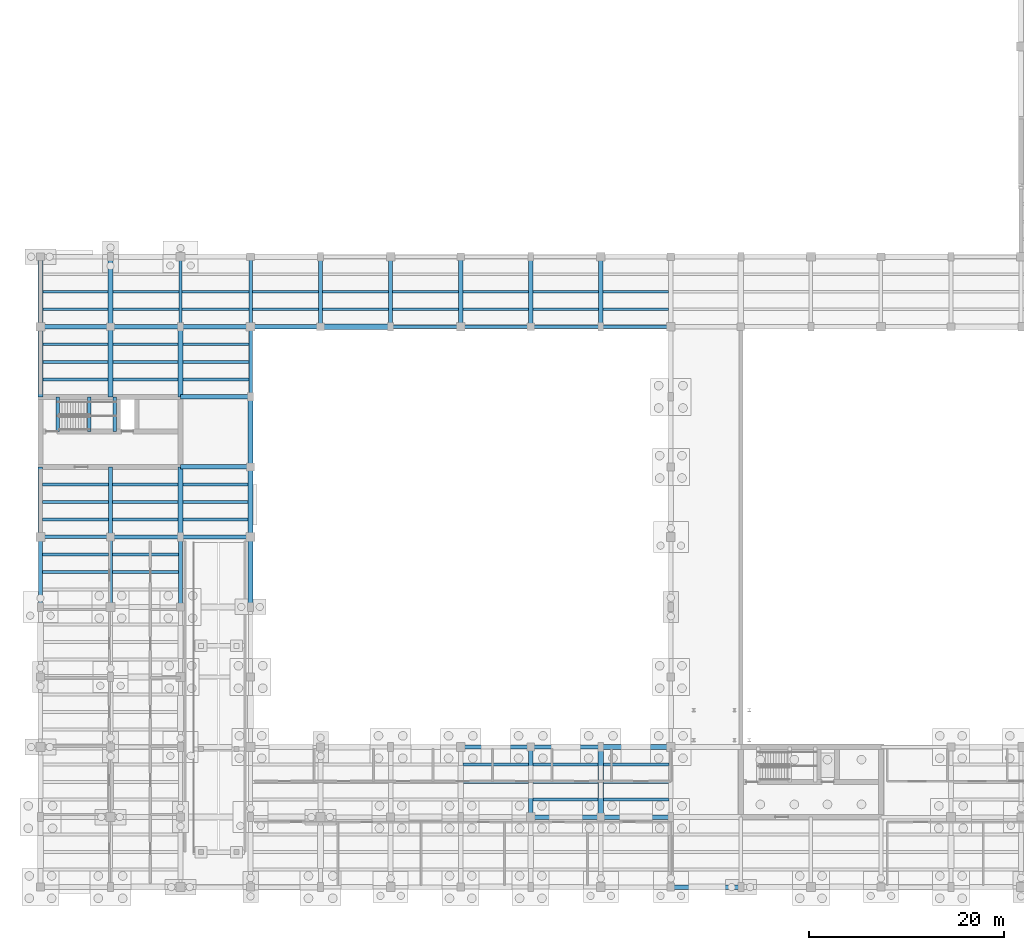
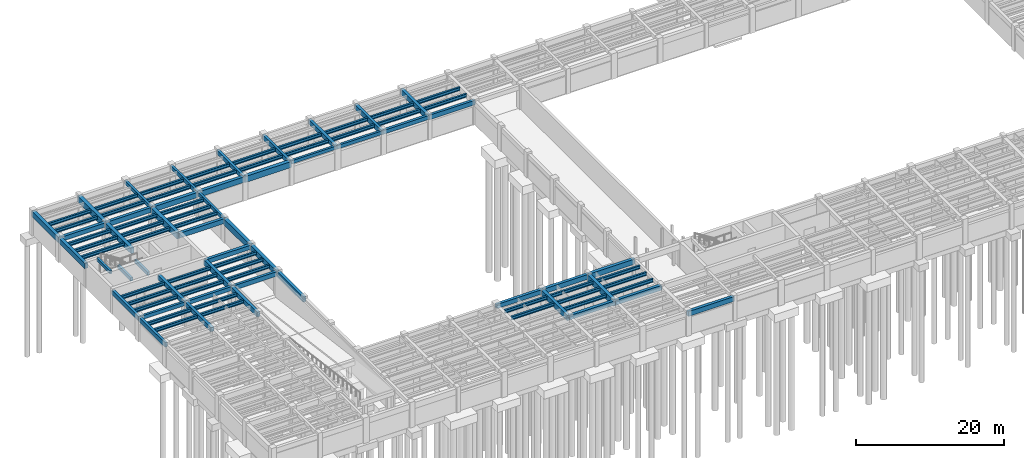
# One storey, part 9 of 33: 95 beams.
"""IFC4 building model written with IfcOpenShell, lengths in metres."""

from ifc_helpers import new_model, si_unit, direction, frame, origin, origin_2d, place, context, subcontext, project, spatial, rectangle, i_section, extrude, material, material_profile, profile_set, type_object, element, save


model = new_model("IFC4")

# Units and contexts
model_context = context("Model", 3, precision=1e-05, world=origin(), true_north=direction((0.0, 1.0)))
body_context = subcontext(model_context, "Body", "Model", "MODEL_VIEW")
ifc_project = project(units=[si_unit("LENGTHUNIT", "METRE"), si_unit("AREAUNIT", "SQUARE_METRE"), si_unit("VOLUMEUNIT", "CUBIC_METRE"), si_unit("PLANEANGLEUNIT", "RADIAN"), si_unit("MASSUNIT", "GRAM", prefix="KILO")], contexts=[model_context])

# Site, building, storey
site_placement = place(None, origin())
site = spatial("IfcSite", under=ifc_project, at=site_placement, CompositionType="ELEMENT")
building_placement = place(site_placement, origin())
building = spatial("IfcBuilding", under=site, at=building_placement, Name="Mithqara Police Headquarters", CompositionType="ELEMENT")
storey_placement = place(building_placement, frame((0.0, 0.0, -4.199951171875)))
storey = spatial("IfcBuildingStorey", under=building, at=storey_placement, Name="B1", CompositionType="ELEMENT", Elevation=-4.199951171875)

# Beams
ifc_material_1 = material(Name="Steel S355JR", Category="steel")
ifc_material_profile_1 = material_profile(ifc_material_1, i_section(OverallWidth=0.300048828125, OverallDepth=0.550048828125, WebThickness=0.014892578125, FlangeThickness=0.029052734375, FilletRadius=0.027099609375, at=origin_2d()), Name="HEB 550")
ifc_profile_set_1 = profile_set([ifc_material_profile_1], Name="Steel S355JR")
beam_type_1 = type_object("IfcBeamType", Name="BEAM HEB550", PredefinedType="BEAM", material=ifc_profile_set_1)
for number, where, z_axis, x_axis, name in (
    (1, (8.0, 53.39990234375, 3.60498046875), (1.0, 0.0, 0.0), (0.0, 1.0, 0.0), "B1 Composite Steel Joist 2-3/H.2"),
    (2, (8.0, 55.199951171875, 3.60498046875), (1.0, 0.0, 0.0), (0.0, 1.0, 0.0), "B1 Composite Steel Joist 2-3/H.3"),
):
    element("IfcBeam", number, at=place(storey_placement, frame(where, z_axis=z_axis, x_axis=x_axis)), inside=storey, type_object=beam_type_1, Name=name, PredefinedType="BEAM", context=body_context, shape_type="SweptSolid", body=[
        extrude(i_section(OverallWidth=0.300048828125, OverallDepth=0.550048828125, WebThickness=0.014892578125, FlangeThickness=0.029052734375, FilletRadius=0.027099609375, at=origin_2d()), origin(), (0.0, 0.0, 1.0), 6.77490234375),
    ])
for number, where, z_axis, x_axis, name in (
    (3, (8.02490234375, 58.800048828125, 3.60498046875), (1.0, 0.0, 0.0), (0.0, 1.0, 0.0), "B1 Composite Steel Joist 2-3/J.1"),
    (4, (8.02490234375, 60.60009765625, 3.60498046875), (1.0, 0.0, 0.0), (0.0, 1.0, 0.0), "B1 Composite Steel Joist 2-3/J.2"),
    (5, (8.02490234375, 62.39990234375, 3.60498046875), (1.0, 0.0, 0.0), (0.0, 1.0, 0.0), "B1 Composite Steel Joist 2-3/J.3"),
):
    element("IfcBeam", number, at=place(storey_placement, frame(where, z_axis=z_axis, x_axis=x_axis)), inside=storey, type_object=beam_type_1, Name=name, PredefinedType="BEAM", context=body_context, shape_type="SweptSolid", body=[
        extrude(i_section(OverallWidth=0.300048828125, OverallDepth=0.550048828125, WebThickness=0.014892578125, FlangeThickness=0.029052734375, FilletRadius=0.027099609375, at=origin_2d()), origin(), (0.0, 0.0, 1.0), 6.75),
    ])
for number, where, z_axis, x_axis, name in (
    (6, (8.050048828125, 73.199951171875, 3.60498046875), (1.0, 0.0, 0.0), (0.0, 1.0, 0.0), "B1 Composite Steel Joist 2-3/L.1"),
    (7, (8.050048828125, 75.0, 3.60498046875), (1.0, 0.0, 0.0), (0.0, 1.0, 0.0), "B1 Composite Steel Joist 2-3/L.2"),
    (8, (8.050048828125, 76.800048828125, 3.60498046875), (1.0, 0.0, 0.0), (0.0, 1.0, 0.0), "B1 Composite Steel Joist 2-3/L.3"),
):
    element("IfcBeam", number, at=place(storey_placement, frame(where, z_axis=z_axis, x_axis=x_axis)), inside=storey, type_object=beam_type_1, Name=name, PredefinedType="BEAM", context=body_context, shape_type="SweptSolid", body=[
        extrude(i_section(OverallWidth=0.300048828125, OverallDepth=0.550048828125, WebThickness=0.014892578125, FlangeThickness=0.029052734375, FilletRadius=0.027099609375, at=origin_2d()), origin(), (0.0, 0.0, 1.0), 6.699951171875),
    ])
for number, where, z_axis, x_axis, name in (
    (9, (8.050048828125, 80.39990234375, 3.60498046875), (1.0, 0.0, 0.0), (0.0, 1.0, 0.0), "B1 Composite Steel Joist 2-3/M.1"),
    (10, (8.050048828125, 82.199951171875, 3.60498046875), (1.0, 0.0, 0.0), (0.0, 1.0, 0.0), "B1 Composite Steel Joist 2-3/M.2"),
):
    element("IfcBeam", number, at=place(storey_placement, frame(where, z_axis=z_axis, x_axis=x_axis)), inside=storey, type_object=beam_type_1, Name=name, PredefinedType="BEAM", context=body_context, shape_type="SweptSolid", body=[
        extrude(i_section(OverallWidth=0.300048828125, OverallDepth=0.550048828125, WebThickness=0.014892578125, FlangeThickness=0.029052734375, FilletRadius=0.027099609375, at=origin_2d()), origin(), (0.0, 0.0, 1.0), 6.675048828125),
    ])
for number, where, z_axis, x_axis, name in (
    (11, (15.22509765625, 53.39990234375, 3.60498046875), (1.0, 0.0, 0.0), (0.0, 1.0, 0.0), "B1 Composite Steel Joist 3-4/H.2"),
    (12, (15.22509765625, 55.199951171875, 3.60498046875), (1.0, 0.0, 0.0), (0.0, 1.0, 0.0), "B1 Composite Steel Joist 3-4/H.3"),
):
    element("IfcBeam", number, at=place(storey_placement, frame(where, z_axis=z_axis, x_axis=x_axis)), inside=storey, type_object=beam_type_1, Name=name, PredefinedType="BEAM", context=body_context, shape_type="SweptSolid", body=[
        extrude(i_section(OverallWidth=0.300048828125, OverallDepth=0.550048828125, WebThickness=0.014892578125, FlangeThickness=0.029052734375, FilletRadius=0.027099609375, at=origin_2d()), origin(), (0.0, 0.0, 1.0), 6.75),
    ])
for number, where, z_axis, x_axis, name in (
    (13, (15.22509765625, 58.800048828125, 3.60498046875), (1.0, 0.0, 0.0), (0.0, 1.0, 0.0), "B1 Composite Steel Joist 3-4/J.1"),
    (14, (15.22509765625, 60.60009765625, 3.60498046875), (1.0, 0.0, 0.0), (0.0, 1.0, 0.0), "B1 Composite Steel Joist 3-4/J.2"),
    (15, (15.22509765625, 62.39990234375, 3.60498046875), (1.0, 0.0, 0.0), (0.0, 1.0, 0.0), "B1 Composite Steel Joist 3-4/J.3"),
):
    element("IfcBeam", number, at=place(storey_placement, frame(where, z_axis=z_axis, x_axis=x_axis)), inside=storey, type_object=beam_type_1, Name=name, PredefinedType="BEAM", context=body_context, shape_type="SweptSolid", body=[
        extrude(i_section(OverallWidth=0.300048828125, OverallDepth=0.550048828125, WebThickness=0.014892578125, FlangeThickness=0.029052734375, FilletRadius=0.027099609375, at=origin_2d()), origin(), (0.0, 0.0, 1.0), 6.724853515625),
    ])
for number, where, z_axis, x_axis, name in (
    (16, (15.25, 73.199951171875, 3.60498046875), (1.0, 0.0, 0.0), (0.0, 1.0, 0.0), "B1 Composite Steel Joist 3-4/L.1"),
    (17, (15.25, 75.0, 3.60498046875), (1.0, 0.0, 0.0), (0.0, 1.0, 0.0), "B1 Composite Steel Joist 3-4/L.2"),
    (18, (15.25, 76.800048828125, 3.60498046875), (1.0, 0.0, 0.0), (0.0, 1.0, 0.0), "B1 Composite Steel Joist 3-4/L.3"),
):
    element("IfcBeam", number, at=place(storey_placement, frame(where, z_axis=z_axis, x_axis=x_axis)), inside=storey, type_object=beam_type_1, Name=name, PredefinedType="BEAM", context=body_context, shape_type="SweptSolid", body=[
        extrude(i_section(OverallWidth=0.300048828125, OverallDepth=0.550048828125, WebThickness=0.014892578125, FlangeThickness=0.029052734375, FilletRadius=0.027099609375, at=origin_2d()), origin(), (0.0, 0.0, 1.0), 6.675048828125),
    ])
for number, where, z_axis, x_axis, name in (
    (19, (15.27490234375, 80.39990234375, 3.60498046875), (1.0, 0.0, 0.0), (0.0, 1.0, 0.0), "B1 Composite Steel Joist 3-4/M.1"),
    (20, (15.27490234375, 82.199951171875, 3.60498046875), (1.0, 0.0, 0.0), (0.0, 1.0, 0.0), "B1 Composite Steel Joist 3-4/M.2"),
):
    element("IfcBeam", number, at=place(storey_placement, frame(where, z_axis=z_axis, x_axis=x_axis)), inside=storey, type_object=beam_type_1, Name=name, PredefinedType="BEAM", context=body_context, shape_type="SweptSolid", body=[
        extrude(i_section(OverallWidth=0.300048828125, OverallDepth=0.550048828125, WebThickness=0.014892578125, FlangeThickness=0.029052734375, FilletRadius=0.027099609375, at=origin_2d()), origin(), (0.0, 0.0, 1.0), 6.75),
    ])
for number, where, z_axis, x_axis, name in (
    (21, (22.449951171875, 58.800048828125, 3.60498046875), (1.0, 0.0, 0.0), (0.0, 1.0, 0.0), "B1 Composite Steel Joist 4-5/J.1"),
    (22, (22.449951171875, 60.60009765625, 3.60498046875), (1.0, 0.0, 0.0), (0.0, 1.0, 0.0), "B1 Composite Steel Joist 4-5/J.2"),
    (23, (22.449951171875, 62.39990234375, 3.60498046875), (1.0, 0.0, 0.0), (0.0, 1.0, 0.0), "B1 Composite Steel Joist 4-5/J.3"),
):
    element("IfcBeam", number, at=place(storey_placement, frame(where, z_axis=z_axis, x_axis=x_axis)), inside=storey, type_object=beam_type_1, Name=name, PredefinedType="BEAM", context=body_context, shape_type="SweptSolid", body=[
        extrude(i_section(OverallWidth=0.300048828125, OverallDepth=0.550048828125, WebThickness=0.014892578125, FlangeThickness=0.029052734375, FilletRadius=0.027099609375, at=origin_2d()), origin(), (0.0, 0.0, 1.0), 6.699951171875),
    ])
for number, where, z_axis, x_axis, name in (
    (24, (22.47509765625, 73.199951171875, 3.60498046875), (1.0, 0.0, 0.0), (0.0, 1.0, 0.0), "B1 Composite Steel Joist 4-5/L.1"),
    (25, (22.47509765625, 75.0, 3.60498046875), (1.0, 0.0, 0.0), (0.0, 1.0, 0.0), "B1 Composite Steel Joist 4-5/L.2"),
    (26, (22.47509765625, 76.800048828125, 3.60498046875), (1.0, 0.0, 0.0), (0.0, 1.0, 0.0), "B1 Composite Steel Joist 4-5/L.3"),
):
    element("IfcBeam", number, at=place(storey_placement, frame(where, z_axis=z_axis, x_axis=x_axis)), inside=storey, type_object=beam_type_1, Name=name, PredefinedType="BEAM", context=body_context, shape_type="SweptSolid", body=[
        extrude(i_section(OverallWidth=0.300048828125, OverallDepth=0.550048828125, WebThickness=0.014892578125, FlangeThickness=0.029052734375, FilletRadius=0.027099609375, at=origin_2d()), origin(), (0.0, 0.0, 1.0), 6.75),
    ])
for number, where, z_axis, x_axis, name in (
    (27, (22.375, 80.39990234375, 3.60498046875), (1.0, 0.0, 0.0), (0.0, 1.0, 0.0), "B1 Composite Steel Joist 4-5/M.1"),
    (28, (22.375, 82.199951171875, 3.60498046875), (1.0, 0.0, 0.0), (0.0, 1.0, 0.0), "B1 Composite Steel Joist 4-5/M.2"),
):
    element("IfcBeam", number, at=place(storey_placement, frame(where, z_axis=z_axis, x_axis=x_axis)), inside=storey, type_object=beam_type_1, Name=name, PredefinedType="BEAM", context=body_context, shape_type="SweptSolid", body=[
        extrude(i_section(OverallWidth=0.300048828125, OverallDepth=0.550048828125, WebThickness=0.014892578125, FlangeThickness=0.029052734375, FilletRadius=0.027099609375, at=origin_2d()), origin(), (0.0, 0.0, 1.0), 6.85009765625),
    ])
for number, where, z_axis, x_axis, name in (
    (29, (29.574951171875, 80.39990234375, 3.60498046875), (1.0, 0.0, 0.0), (0.0, 1.0, 0.0), "B1 Composite Steel Joist 5-6/M.1"),
    (30, (29.574951171875, 82.199951171875, 3.60498046875), (1.0, 0.0, 0.0), (0.0, 1.0, 0.0), "B1 Composite Steel Joist 5-6/M.2"),
):
    element("IfcBeam", number, at=place(storey_placement, frame(where, z_axis=z_axis, x_axis=x_axis)), inside=storey, type_object=beam_type_1, Name=name, PredefinedType="BEAM", context=body_context, shape_type="SweptSolid", body=[
        extrude(i_section(OverallWidth=0.300048828125, OverallDepth=0.550048828125, WebThickness=0.014892578125, FlangeThickness=0.029052734375, FilletRadius=0.027099609375, at=origin_2d()), origin(), (0.0, 0.0, 1.0), 6.824951171875),
    ])
for number, where, z_axis, x_axis, name in (
    (31, (36.800048828125, 80.39990234375, 3.60498046875), (1.0, 0.0, 0.0), (0.0, 1.0, 0.0), "B1 Composite Steel Joist 6-7/M.1"),
    (32, (36.800048828125, 82.199951171875, 3.60498046875), (1.0, 0.0, 0.0), (0.0, 1.0, 0.0), "B1 Composite Steel Joist 6-7/M.2"),
):
    element("IfcBeam", number, at=place(storey_placement, frame(where, z_axis=z_axis, x_axis=x_axis)), inside=storey, type_object=beam_type_1, Name=name, PredefinedType="BEAM", context=body_context, shape_type="SweptSolid", body=[
        extrude(i_section(OverallWidth=0.300048828125, OverallDepth=0.550048828125, WebThickness=0.014892578125, FlangeThickness=0.029052734375, FilletRadius=0.027099609375, at=origin_2d()), origin(), (0.0, 0.0, 1.0), 6.800048828125),
    ])
for number, where, z_axis, x_axis, name in (
    (33, (44.0, 80.39990234375, 3.60498046875), (1.0, 0.0, 0.0), (0.0, 1.0, 0.0), "B1 Composite Steel Joist 7-8/M.1"),
    (34, (44.0, 82.199951171875, 3.60498046875), (1.0, 0.0, 0.0), (0.0, 1.0, 0.0), "B1 Composite Steel Joist 7-8/M.2"),
):
    element("IfcBeam", number, at=place(storey_placement, frame(where, z_axis=z_axis, x_axis=x_axis)), inside=storey, type_object=beam_type_1, Name=name, PredefinedType="BEAM", context=body_context, shape_type="SweptSolid", body=[
        extrude(i_section(OverallWidth=0.300048828125, OverallDepth=0.550048828125, WebThickness=0.014892578125, FlangeThickness=0.029052734375, FilletRadius=0.027099609375, at=origin_2d()), origin(), (0.0, 0.0, 1.0), 6.77490234375),
    ])
for number, where, z_axis, x_axis, name in (
    (35, (51.25, 31.800048828125, 3.60498046875), (1.0, 0.0, 0.0), (0.0, 1.0, 0.0), "B1 Composite Steel Joist 8-9/E.2"),
    (36, (51.25, 33.60009765625, 3.60498046875), (1.0, 0.0, 0.0), (0.0, 1.0, 0.0), "B1 Composite Steel Joist 8-9/E.3"),
):
    element("IfcBeam", number, at=place(storey_placement, frame(where, z_axis=z_axis, x_axis=x_axis)), inside=storey, type_object=beam_type_1, Name=name, PredefinedType="BEAM", context=body_context, shape_type="SweptSolid", body=[
        extrude(i_section(OverallWidth=0.300048828125, OverallDepth=0.550048828125, WebThickness=0.014892578125, FlangeThickness=0.029052734375, FilletRadius=0.027099609375, at=origin_2d()), origin(), (0.0, 0.0, 1.0), 6.699951171875),
    ])
for number, where, z_axis, x_axis, name in (
    (37, (51.22509765625, 80.39990234375, 3.60498046875), (1.0, 0.0, 0.0), (0.0, 1.0, 0.0), "B1 Composite Steel Joist 8-9/M.1"),
    (38, (51.22509765625, 82.199951171875, 3.60498046875), (1.0, 0.0, 0.0), (0.0, 1.0, 0.0), "B1 Composite Steel Joist 8-9/M.2"),
):
    element("IfcBeam", number, at=place(storey_placement, frame(where, z_axis=z_axis, x_axis=x_axis)), inside=storey, type_object=beam_type_1, Name=name, PredefinedType="BEAM", context=body_context, shape_type="SweptSolid", body=[
        extrude(i_section(OverallWidth=0.300048828125, OverallDepth=0.550048828125, WebThickness=0.014892578125, FlangeThickness=0.029052734375, FilletRadius=0.027099609375, at=origin_2d()), origin(), (0.0, 0.0, 1.0), 6.75),
    ])
for number, where, z_axis, x_axis, name in (
    (39, (58.449951171875, 30.0, 3.60498046875), (1.0, 0.0, 0.0), (0.0, 1.0, 0.0), "B1 Composite Steel Joist 9-10/E.1"),
    (40, (58.449951171875, 31.800048828125, 3.60498046875), (1.0, 0.0, 0.0), (0.0, 1.0, 0.0), "B1 Composite Steel Joist 9-10/E.2"),
    (41, (58.449951171875, 33.60009765625, 3.60498046875), (1.0, 0.0, 0.0), (0.0, 1.0, 0.0), "B1 Composite Steel Joist 9-10/E.3"),
):
    element("IfcBeam", number, at=place(storey_placement, frame(where, z_axis=z_axis, x_axis=x_axis)), inside=storey, type_object=beam_type_1, Name=name, PredefinedType="BEAM", context=body_context, shape_type="SweptSolid", body=[
        extrude(i_section(OverallWidth=0.300048828125, OverallDepth=0.550048828125, WebThickness=0.014892578125, FlangeThickness=0.029052734375, FilletRadius=0.027099609375, at=origin_2d()), origin(), (0.0, 0.0, 1.0), 6.675048828125),
    ])
for number, where, z_axis, x_axis, name in (
    (42, (58.425048828125, 80.39990234375, 3.60498046875), (1.0, 0.0, 0.0), (0.0, 1.0, 0.0), "B1 Composite Steel Joist 9-10/M.1"),
    (43, (58.425048828125, 82.199951171875, 3.60498046875), (1.0, 0.0, 0.0), (0.0, 1.0, 0.0), "B1 Composite Steel Joist 9-10/M.2"),
):
    element("IfcBeam", number, at=place(storey_placement, frame(where, z_axis=z_axis, x_axis=x_axis)), inside=storey, type_object=beam_type_1, Name=name, PredefinedType="BEAM", context=body_context, shape_type="SweptSolid", body=[
        extrude(i_section(OverallWidth=0.300048828125, OverallDepth=0.550048828125, WebThickness=0.014892578125, FlangeThickness=0.029052734375, FilletRadius=0.027099609375, at=origin_2d()), origin(), (0.0, 0.0, 1.0), 6.724853515625),
    ])
for number, where, z_axis, x_axis, name in (
    (44, (65.675048828125, 30.0, 3.60498046875), (1.0, 0.0, 0.0), (0.0, 1.0, 0.0), "B1 Composite Steel Joist 10-11/E.1"),
    (45, (65.675048828125, 31.800048828125, 3.60498046875), (1.0, 0.0, 0.0), (0.0, 1.0, 0.0), "B1 Composite Steel Joist 10-11/E.2"),
    (46, (65.675048828125, 33.60009765625, 3.60498046875), (1.0, 0.0, 0.0), (0.0, 1.0, 0.0), "B1 Composite Steel Joist 10-11/E.3"),
):
    element("IfcBeam", number, at=place(storey_placement, frame(where, z_axis=z_axis, x_axis=x_axis)), inside=storey, type_object=beam_type_1, Name=name, PredefinedType="BEAM", context=body_context, shape_type="SweptSolid", body=[
        extrude(i_section(OverallWidth=0.300048828125, OverallDepth=0.550048828125, WebThickness=0.014892578125, FlangeThickness=0.029052734375, FilletRadius=0.027099609375, at=origin_2d()), origin(), (0.0, 0.0, 1.0), 6.75),
    ])
for number, where, z_axis, x_axis, name in (
    (47, (65.64990234375, 80.39990234375, 3.60498046875), (1.0, 0.0, 0.0), (0.0, 1.0, 0.0), "B1 Composite Steel Joist 10-11/M.1"),
    (48, (65.64990234375, 82.199951171875, 3.60498046875), (1.0, 0.0, 0.0), (0.0, 1.0, 0.0), "B1 Composite Steel Joist 10-11/M.2"),
):
    element("IfcBeam", number, at=place(storey_placement, frame(where, z_axis=z_axis, x_axis=x_axis)), inside=storey, type_object=beam_type_1, Name=name, PredefinedType="BEAM", context=body_context, shape_type="SweptSolid", body=[
        extrude(i_section(OverallWidth=0.300048828125, OverallDepth=0.550048828125, WebThickness=0.014892578125, FlangeThickness=0.029052734375, FilletRadius=0.027099609375, at=origin_2d()), origin(), (0.0, 0.0, 1.0), 6.7001953125),
    ])
ifc_material_2 = material(Name="Concrete C40/50", Category="concrete")
ifc_material_profile_2 = material_profile(ifc_material_2, rectangle(XDim=0.35009765625, YDim=0.550048828125, at=origin_2d()), Name="RC 350x550")
ifc_profile_set_2 = profile_set([ifc_material_profile_2], Name="Concrete C40/50")
beam_type_2 = type_object("IfcBeamType", Name="BEAM RC350X550", PredefinedType="BEAM", material=ifc_profile_set_2)
beam_1_placement = place(storey_placement, frame((22.199951171875, 78.60009765625, 3.60498046875), z_axis=(0.0, 1.0, 0.0), x_axis=(-1.0, 0.0, 0.0)))
element("IfcBeam", 49, at=beam_1_placement, inside=storey, type_object=beam_type_2, Name="B1 Girder 4/M-N", PredefinedType="BEAM", context=body_context, shape_type="SweptSolid", body=[
    extrude(rectangle(XDim=0.35009765625, YDim=0.550048828125, at=origin_2d()), origin(), (0.0, 0.0, 1.0), 7.199951171875),
])
beam_2_placement = place(storey_placement, frame((29.39990234375, 71.39990234375, 3.60498046875), z_axis=(0.0, 1.0, 0.0), x_axis=(-1.0, 0.0, 0.0)))
element("IfcBeam", 50, at=beam_2_placement, inside=storey, type_object=beam_type_2, Name="B1 Girder 5/L-M", PredefinedType="BEAM", context=body_context, shape_type="SweptSolid", body=[
    extrude(rectangle(XDim=0.35009765625, YDim=0.550048828125, at=origin_2d()), origin(), (0.0, 0.0, 1.0), 7.2001953125),
])
beam_3_placement = place(storey_placement, frame((43.800048828125, 78.60009765625, 3.60498046875), z_axis=(1.0, 0.0, 0.0), x_axis=(0.0, 1.0, 0.0)))
element("IfcBeam", 51, at=beam_3_placement, inside=storey, type_object=beam_type_2, Name="B1 Girder 7-8/M", PredefinedType="BEAM", context=body_context, shape_type="SweptSolid", body=[
    extrude(rectangle(XDim=0.35009765625, YDim=0.550048828125, at=origin_2d()), origin(), (0.0, 0.0, 1.0), 7.199951171875),
])
for number, where, z_axis, x_axis, name in (
    (52, (12.830078125, 67.820068359375, 1.635009765625), (0.0, 1.0, 0.0), (-1.0, 0.0, 0.0), "B1 ST-03 Half-Landing Bearer LF"),
    (53, (15.449951171875, 67.820068359375, 1.635009765625), (0.0, 1.0, 0.0), (-1.0, 0.0, 0.0), "B1 ST-03 Half-Landing Bearer LB"),
    (54, (9.576904296875, 67.820068359375, 3.925048828125), (0.0, 1.0, 0.0), (-1.0, 0.0, 0.0), "B1 ST-03 Stairwell Trimmer Beam"),
):
    element("IfcBeam", number, at=place(storey_placement, frame(where, z_axis=z_axis, x_axis=x_axis)), inside=storey, type_object=beam_type_2, Name=name, PredefinedType="BEAM", context=body_context, shape_type="SweptSolid", body=[
        extrude(rectangle(XDim=0.35009765625, YDim=0.550048828125, at=origin_2d()), origin(), (0.0, 0.0, 1.0), 3.579833984375),
    ])
ifc_material_profile_3 = material_profile(ifc_material_2, rectangle(XDim=0.35009765625, YDim=0.60009765625, at=origin_2d()), Name="RC 350x600")
ifc_profile_set_3 = profile_set([ifc_material_profile_3], Name="Concrete C40/50")
beam_type_3 = type_object("IfcBeamType", Name="BEAM RC350X600", PredefinedType="BEAM", material=ifc_profile_set_3)
for number, where, z_axis, x_axis, name in (
    (55, (7.800048828125, 57.0, 3.579833984375), (1.0, 0.0, 0.0), (0.0, 1.0, 0.0), "B1 Girder 2-3/J"),
    (56, (29.39990234375, 78.60009765625, 3.579833984375), (0.0, 1.0, 0.0), (-1.0, 0.0, 0.0), "B1 Girder 5/M-N"),
    (57, (51.0, 78.60009765625, 3.579833984375), (1.0, 0.0, 0.0), (0.0, 1.0, 0.0), "B1 Girder 8-9/M"),
):
    element("IfcBeam", number, at=place(storey_placement, frame(where, z_axis=z_axis, x_axis=x_axis)), inside=storey, type_object=beam_type_3, Name=name, PredefinedType="BEAM", context=body_context, shape_type="SweptSolid", body=[
        extrude(rectangle(XDim=0.35009765625, YDim=0.60009765625, at=origin_2d()), origin(), (0.0, 0.0, 1.0), 7.199951171875),
    ])
ifc_material_profile_4 = material_profile(ifc_material_2, rectangle(XDim=0.39990234375, YDim=0.64990234375, at=origin_2d()), Name="RC 400x650")
ifc_profile_set_4 = profile_set([ifc_material_profile_4], Name="Concrete C40/50")
beam_type_4 = type_object("IfcBeamType", Name="BEAM RC400X650", PredefinedType="BEAM", material=ifc_profile_set_4)
for number, where, z_axis, x_axis, name in (
    (58, (15.0, 57.0, 3.554931640625), (1.0, 0.0, 0.0), (0.0, 1.0, 0.0), "B1 Girder 3-4/J"),
    (59, (36.60009765625, 78.60009765625, 3.554931640625), (0.0, 1.0, 0.0), (-1.0, 0.0, 0.0), "B1 Girder 6/M-N"),
    (60, (58.199951171875, 78.60009765625, 3.554931640625), (1.0, 0.0, 0.0), (0.0, 1.0, 0.0), "B1 Girder 9-10/M"),
):
    element("IfcBeam", number, at=place(storey_placement, frame(where, z_axis=z_axis, x_axis=x_axis)), inside=storey, type_object=beam_type_4, Name=name, PredefinedType="BEAM", context=body_context, shape_type="SweptSolid", body=[
        extrude(rectangle(XDim=0.39990234375, YDim=0.64990234375, at=origin_2d()), origin(), (0.0, 0.0, 1.0), 7.199951171875),
    ])
ifc_material_profile_5 = material_profile(ifc_material_2, rectangle(XDim=0.39990234375, YDim=0.75, at=origin_2d()), Name="RC 400x750")
ifc_profile_set_5 = profile_set([ifc_material_profile_5], Name="Concrete C40/50")
beam_type_5 = type_object("IfcBeamType", Name="BEAM RC400X750", PredefinedType="BEAM", material=ifc_profile_set_5)
for number, where, z_axis, x_axis, name in (
    (61, (7.800048828125, 49.800048828125, 3.5048828125), (0.0, 1.0, 0.0), (-1.0, 0.0, 0.0), "B1 Girder 2/H-J"),
    (62, (22.199951171875, 57.0, 3.5048828125), (1.0, 0.0, 0.0), (0.0, 1.0, 0.0), "B1 Girder 4-5/J"),
    (63, (43.800048828125, 78.60009765625, 3.5048828125), (0.0, 1.0, 0.0), (-1.0, 0.0, 0.0), "B1 Girder 7/M-N"),
):
    element("IfcBeam", number, at=place(storey_placement, frame(where, z_axis=z_axis, x_axis=x_axis)), inside=storey, type_object=beam_type_5, Name=name, PredefinedType="BEAM", context=body_context, shape_type="SweptSolid", body=[
        extrude(rectangle(XDim=0.39990234375, YDim=0.75, at=origin_2d()), origin(), (0.0, 0.0, 1.0), 7.199951171875),
    ])
beam_4_placement = place(storey_placement, frame((65.39990234375, 78.60009765625, 3.5048828125), z_axis=(1.0, 0.0, 0.0), x_axis=(0.0, 1.0, 0.0)))
element("IfcBeam", 64, at=beam_4_placement, inside=storey, type_object=beam_type_5, Name="B1 Girder 10-11/M", PredefinedType="BEAM", context=body_context, shape_type="SweptSolid", body=[
    extrude(rectangle(XDim=0.39990234375, YDim=0.75, at=origin_2d()), origin(), (0.0, 0.0, 1.0), 7.2001953125),
])
ifc_material_profile_6 = material_profile(ifc_material_2, rectangle(XDim=0.449951171875, YDim=0.699951171875, at=origin_2d()), Name="RC 450x700")
ifc_profile_set_6 = profile_set([ifc_material_profile_6], Name="Concrete C40/50")
beam_type_6 = type_object("IfcBeamType", Name="BEAM RC450X700", PredefinedType="BEAM", material=ifc_profile_set_6)
for number, where, z_axis, x_axis, name in (
    (65, (7.800048828125, 57.0, 3.530029296875), (0.0, 1.0, 0.0), (-1.0, 0.0, 0.0), "B1 Girder 2/J-K"),
    (66, (7.800048828125, 78.60009765625, 3.530029296875), (1.0, 0.0, 0.0), (0.0, 1.0, 0.0), "B1 Girder 2-3/M"),
    (67, (15.0, 49.800048828125, 3.530029296875), (0.0, 1.0, 0.0), (-1.0, 0.0, 0.0), "B1 Girder 3/H-J"),
    (68, (22.199951171875, 64.199951171875, 3.530029296875), (1.0, 0.0, 0.0), (0.0, 1.0, 0.0), "B1 Girder 4-5/K"),
    (69, (51.0, 35.39990234375, 3.530029296875), (1.0, 0.0, 0.0), (0.0, 1.0, 0.0), "B1 Girder 8-9/F"),
    (70, (51.0, 78.60009765625, 3.530029296875), (0.0, 1.0, 0.0), (-1.0, 0.0, 0.0), "B1 Girder 8/M-N"),
    (71, (58.199951171875, 28.199951171875, 3.530029296875), (1.0, 0.0, 0.0), (0.0, 1.0, 0.0), "B1 Girder 9-10/E"),
):
    element("IfcBeam", number, at=place(storey_placement, frame(where, z_axis=z_axis, x_axis=x_axis)), inside=storey, type_object=beam_type_6, Name=name, PredefinedType="BEAM", context=body_context, shape_type="SweptSolid", body=[
        extrude(rectangle(XDim=0.449951171875, YDim=0.699951171875, at=origin_2d()), origin(), (0.0, 0.0, 1.0), 7.199951171875),
    ])
ifc_material_profile_7 = material_profile(ifc_material_2, rectangle(XDim=0.449951171875, YDim=0.800048828125, at=origin_2d()), Name="RC 450x800")
ifc_profile_set_7 = profile_set([ifc_material_profile_7], Name="Concrete C40/50")
beam_type_7 = type_object("IfcBeamType", Name="BEAM RC450X800", PredefinedType="BEAM", material=ifc_profile_set_7)
for number, where, z_axis, x_axis, name in (
    (72, (15.0, 57.0, 3.47998046875), (0.0, 1.0, 0.0), (-1.0, 0.0, 0.0), "B1 Girder 3/J-K"),
    (73, (15.0, 78.60009765625, 3.47998046875), (1.0, 0.0, 0.0), (0.0, 1.0, 0.0), "B1 Girder 3-4/M"),
    (74, (22.199951171875, 49.800048828125, 3.47998046875), (0.0, 1.0, 0.0), (-1.0, 0.0, 0.0), "B1 Girder 4/H-J"),
    (75, (22.199951171875, 71.39990234375, 3.47998046875), (1.0, 0.0, 0.0), (0.0, 1.0, 0.0), "B1 Girder 4-5/L"),
    (76, (58.199951171875, 35.39990234375, 3.47998046875), (1.0, 0.0, 0.0), (0.0, 1.0, 0.0), "B1 Girder 9-10/F"),
    (77, (58.199951171875, 78.60009765625, 3.47998046875), (0.0, 1.0, 0.0), (-1.0, 0.0, 0.0), "B1 Girder 9/M-N"),
):
    element("IfcBeam", number, at=place(storey_placement, frame(where, z_axis=z_axis, x_axis=x_axis)), inside=storey, type_object=beam_type_7, Name=name, PredefinedType="BEAM", context=body_context, shape_type="SweptSolid", body=[
        extrude(rectangle(XDim=0.449951171875, YDim=0.800048828125, at=origin_2d()), origin(), (0.0, 0.0, 1.0), 7.199951171875),
    ])
beam_5_placement = place(storey_placement, frame((65.39990234375, 28.199951171875, 3.47998046875), z_axis=(1.0, 0.0, 0.0), x_axis=(0.0, 1.0, 0.0)))
element("IfcBeam", 78, at=beam_5_placement, inside=storey, type_object=beam_type_7, Name="B1 Girder 10-11/E", PredefinedType="BEAM", context=body_context, shape_type="SweptSolid", body=[
    extrude(rectangle(XDim=0.449951171875, YDim=0.800048828125, at=origin_2d()), origin(), (0.0, 0.0, 1.0), 7.2001953125),
])
beam_6_placement = place(storey_placement, frame((72.60009765625, 21.0, 3.47998046875), z_axis=(1.0, 0.0, 0.0), x_axis=(0.0, 1.0, 0.0)))
element("IfcBeam", 79, at=beam_6_placement, inside=storey, type_object=beam_type_7, Name="B1 Girder 11-12/D", PredefinedType="BEAM", context=body_context, shape_type="SweptSolid", body=[
    extrude(rectangle(XDim=0.449951171875, YDim=0.800048828125, at=origin_2d()), origin(), (0.0, 0.0, 1.0), 7.199951171875),
])
ifc_material_profile_8 = material_profile(ifc_material_2, rectangle(XDim=0.5, YDim=0.85009765625, at=origin_2d()), Name="RC 500x850")
ifc_profile_set_8 = profile_set([ifc_material_profile_8], Name="Concrete C40/50")
beam_type_8 = type_object("IfcBeamType", Name="BEAM RC500X850", PredefinedType="BEAM", material=ifc_profile_set_8)
beam_7_placement = place(storey_placement, frame((7.800048828125, 71.39990234375, 3.454833984375), z_axis=(0.0, 1.0, 0.0), x_axis=(-1.0, 0.0, 0.0)))
element("IfcBeam", 80, at=beam_7_placement, inside=storey, type_object=beam_type_8, Name="B1 Girder 2/L-M", PredefinedType="BEAM", context=body_context, shape_type="SweptSolid", body=[
    extrude(rectangle(XDim=0.5, YDim=0.85009765625, at=origin_2d()), origin(), (0.0, 0.0, 1.0), 7.2001953125),
])
for number, where, z_axis, x_axis, name in (
    (81, (22.199951171875, 57.0, 3.454833984375), (0.0, 1.0, 0.0), (-1.0, 0.0, 0.0), "B1 Girder 4/J-K"),
    (82, (22.199951171875, 78.60009765625, 3.454833984375), (1.0, 0.0, 0.0), (0.0, 1.0, 0.0), "B1 Girder 4-5/M"),
    (83, (29.39990234375, 49.800048828125, 3.454833984375), (0.0, 1.0, 0.0), (-1.0, 0.0, 0.0), "B1 Girder 5/H-J"),
):
    element("IfcBeam", number, at=place(storey_placement, frame(where, z_axis=z_axis, x_axis=x_axis)), inside=storey, type_object=beam_type_8, Name=name, PredefinedType="BEAM", context=body_context, shape_type="SweptSolid", body=[
        extrude(rectangle(XDim=0.5, YDim=0.85009765625, at=origin_2d()), origin(), (0.0, 0.0, 1.0), 7.199951171875),
    ])
beam_8_placement = place(storey_placement, frame((65.39990234375, 35.39990234375, 3.454833984375), z_axis=(1.0, 0.0, 0.0), x_axis=(0.0, 1.0, 0.0)))
element("IfcBeam", 84, at=beam_8_placement, inside=storey, type_object=beam_type_8, Name="B1 Girder 10-11/F", PredefinedType="BEAM", context=body_context, shape_type="SweptSolid", body=[
    extrude(rectangle(XDim=0.5, YDim=0.85009765625, at=origin_2d()), origin(), (0.0, 0.0, 1.0), 7.2001953125),
])
beam_9_placement = place(storey_placement, frame((65.39990234375, 78.60009765625, 3.454833984375), z_axis=(0.0, 1.0, 0.0), x_axis=(-1.0, 0.0, 0.0)))
element("IfcBeam", 85, at=beam_9_placement, inside=storey, type_object=beam_type_8, Name="B1 Girder 10/M-N", PredefinedType="BEAM", context=body_context, shape_type="SweptSolid", body=[
    extrude(rectangle(XDim=0.5, YDim=0.85009765625, at=origin_2d()), origin(), (0.0, 0.0, 1.0), 7.199951171875),
])
ifc_material_3 = material(Name="Concrete C50/60", Category="concrete")
ifc_material_profile_9 = material_profile(ifc_material_3, rectangle(XDim=0.5, YDim=0.89990234375, at=origin_2d()), Name="RC 500x900")
ifc_profile_set_9 = profile_set([ifc_material_profile_9], Name="Concrete C50/60")
beam_type_9 = type_object("IfcBeamType", Name="BEAM RC500X900", PredefinedType="BEAM", material=ifc_profile_set_9)
beam_10_placement = place(storey_placement, frame((7.800048828125, 78.60009765625, 3.429931640625), z_axis=(0.0, 1.0, 0.0), x_axis=(-1.0, 0.0, 0.0)))
element("IfcBeam", 86, at=beam_10_placement, inside=storey, type_object=beam_type_9, Name="B1 Girder 2/M-N", PredefinedType="BEAM", context=body_context, shape_type="SweptSolid", body=[
    extrude(rectangle(XDim=0.5, YDim=0.89990234375, at=origin_2d()), origin(), (0.0, 0.0, 1.0), 7.199951171875),
])
beam_11_placement = place(storey_placement, frame((15.0, 71.39990234375, 3.429931640625), z_axis=(0.0, 1.0, 0.0), x_axis=(-1.0, 0.0, 0.0)))
element("IfcBeam", 87, at=beam_11_placement, inside=storey, type_object=beam_type_9, Name="B1 Girder 3/L-M", PredefinedType="BEAM", context=body_context, shape_type="SweptSolid", body=[
    extrude(rectangle(XDim=0.5, YDim=0.89990234375, at=origin_2d()), origin(), (0.0, 0.0, 1.0), 7.2001953125),
])
beam_12_placement = place(storey_placement, frame((29.39990234375, 57.0, 3.429931640625), z_axis=(0.0, 1.0, 0.0), x_axis=(-1.0, 0.0, 0.0)))
element("IfcBeam", 88, at=beam_12_placement, inside=storey, type_object=beam_type_9, Name="B1 Girder 5/J-K", PredefinedType="BEAM", context=body_context, shape_type="SweptSolid", body=[
    extrude(rectangle(XDim=0.5, YDim=0.89990234375, at=origin_2d()), origin(), (0.0, 0.0, 1.0), 7.199951171875),
])
beam_13_placement = place(storey_placement, frame((29.39990234375, 78.60009765625, 3.429931640625), z_axis=(1.0, 0.0, 0.0), x_axis=(0.0, 1.0, 0.0)))
element("IfcBeam", 89, at=beam_13_placement, inside=storey, type_object=beam_type_9, Name="B1 Girder 5-6/M", PredefinedType="BEAM", context=body_context, shape_type="SweptSolid", body=[
    extrude(rectangle(XDim=0.5, YDim=0.89990234375, at=origin_2d()), origin(), (0.0, 0.0, 1.0), 7.2001953125),
])
beam_14_placement = place(storey_placement, frame((58.199951171875, 28.199951171875, 3.429931640625), z_axis=(0.0, 1.0, 0.0), x_axis=(-1.0, 0.0, 0.0)))
element("IfcBeam", 90, at=beam_14_placement, inside=storey, type_object=beam_type_9, Name="B1 Girder 9/E-F", PredefinedType="BEAM", context=body_context, shape_type="SweptSolid", body=[
    extrude(rectangle(XDim=0.5, YDim=0.89990234375, at=origin_2d()), origin(), (0.0, 0.0, 1.0), 7.199951171875),
])
ifc_material_profile_10 = material_profile(ifc_material_3, rectangle(XDim=0.550048828125, YDim=1.0, at=origin_2d()), Name="RC 550x1000")
ifc_profile_set_10 = profile_set([ifc_material_profile_10], Name="Concrete C50/60")
beam_type_10 = type_object("IfcBeamType", Name="BEAM RC550X1000", PredefinedType="BEAM", material=ifc_profile_set_10)
beam_15_placement = place(storey_placement, frame((15.0, 78.60009765625, 3.3798828125), z_axis=(0.0, 1.0, 0.0), x_axis=(-1.0, 0.0, 0.0)))
element("IfcBeam", 91, at=beam_15_placement, inside=storey, type_object=beam_type_10, Name="B1 Girder 3/M-N", PredefinedType="BEAM", context=body_context, shape_type="SweptSolid", body=[
    extrude(rectangle(XDim=0.550048828125, YDim=1.0, at=origin_2d()), origin(), (0.0, 0.0, 1.0), 7.199951171875),
])
beam_16_placement = place(storey_placement, frame((22.199951171875, 71.39990234375, 3.3798828125), z_axis=(0.0, 1.0, 0.0), x_axis=(-1.0, 0.0, 0.0)))
element("IfcBeam", 92, at=beam_16_placement, inside=storey, type_object=beam_type_10, Name="B1 Girder 4/L-M", PredefinedType="BEAM", context=body_context, shape_type="SweptSolid", body=[
    extrude(rectangle(XDim=0.550048828125, YDim=1.0, at=origin_2d()), origin(), (0.0, 0.0, 1.0), 7.2001953125),
])
for number, where, z_axis, x_axis, name in (
    (93, (29.39990234375, 64.199951171875, 3.3798828125), (0.0, 1.0, 0.0), (-1.0, 0.0, 0.0), "B1 Girder 5/K-L"),
    (94, (36.60009765625, 78.60009765625, 3.3798828125), (1.0, 0.0, 0.0), (0.0, 1.0, 0.0), "B1 Girder 6-7/M"),
    (95, (65.39990234375, 28.199951171875, 3.3798828125), (0.0, 1.0, 0.0), (-1.0, 0.0, 0.0), "B1 Girder 10/E-F"),
):
    element("IfcBeam", number, at=place(storey_placement, frame(where, z_axis=z_axis, x_axis=x_axis)), inside=storey, type_object=beam_type_10, Name=name, PredefinedType="BEAM", context=body_context, shape_type="SweptSolid", body=[
        extrude(rectangle(XDim=0.550048828125, YDim=1.0, at=origin_2d()), origin(), (0.0, 0.0, 1.0), 7.199951171875),
    ])

save(model, "model.ifc")
